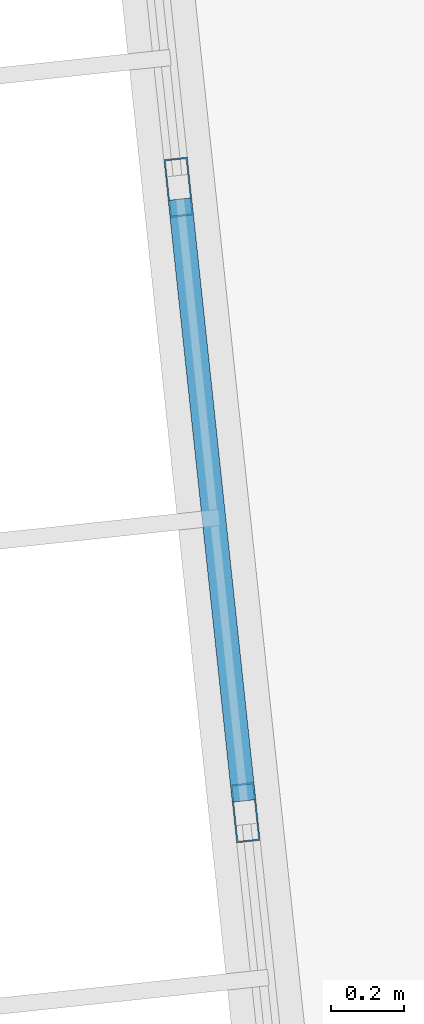
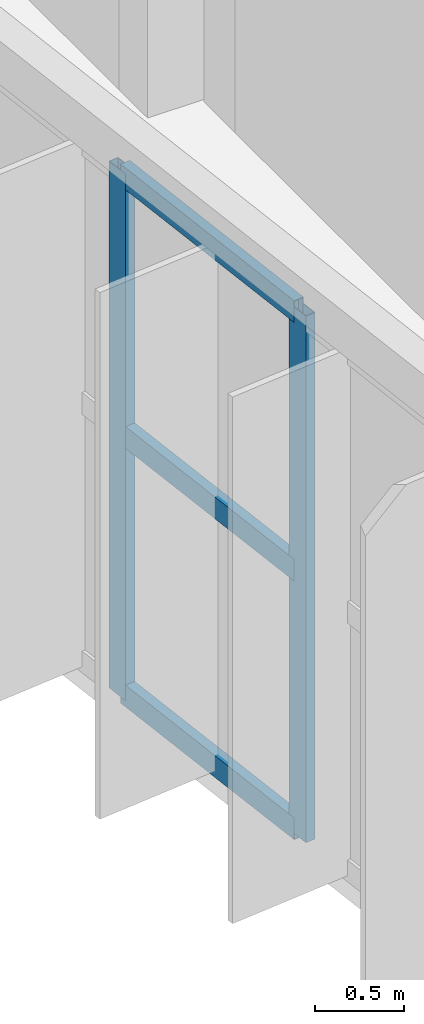
# One storey, part 35 of 134: 5 members, 1 element without a shape of its own.
"""IFC4 building model written with IfcOpenShell, lengths in metres."""

from ifc_helpers import new_model, si_unit, direction, frame, origin, origin_2d, place, context, subcontext, project, spatial, hollow_rectangle, extrude, material, material_profile, profile_set, type_object, element, aggregate, save


model = new_model("IFC4")

# Units and contexts
model_context = context("Model", 3, precision=1e-05, world=origin(), true_north=direction((0.0, 1.0)))
body_context = subcontext(model_context, "Body", "Model", "MODEL_VIEW")
ifc_project = project(units=[si_unit("LENGTHUNIT", "METRE"), si_unit("AREAUNIT", "SQUARE_METRE"), si_unit("VOLUMEUNIT", "CUBIC_METRE"), si_unit("PLANEANGLEUNIT", "RADIAN"), si_unit("MASSUNIT", "GRAM", prefix="KILO")], contexts=[model_context])

# Site, building, storey
site_placement = place(None, origin())
site = spatial("IfcSite", under=ifc_project, at=site_placement, CompositionType="ELEMENT")
building_placement = place(site_placement, origin())
building = spatial("IfcBuilding", under=site, at=building_placement, Name="Karori Crest Natural Sciences Institute", CompositionType="ELEMENT")
storey_placement = place(building_placement, frame((0.0, 0.0, 21.699951171875)))
storey = spatial("IfcBuildingStorey", under=building, at=storey_placement, Name="L05", CompositionType="ELEMENT", Elevation=21.699951171875)

# Curtain wall, members
ifc_material = material(Name="Anodised architectural aluminium 6063-T6", Category="aluminium")
curtain_wall_type = type_object("IfcCurtainWallType", Name="CWT-03", PredefinedType="NOTDEFINED", material=ifc_material)
curtain_wall_placement = place(storey_placement, origin())
curtain_wall = element("IfcCurtainWall", 1, at=curtain_wall_placement, inside=storey, type_object=curtain_wall_type, Name="Curtain wall CW-0190", PredefinedType="NOTDEFINED")
ifc_material_profile_1 = material_profile(ifc_material, hollow_rectangle(XDim=0.06494140625, YDim=0.159912109375, WallThickness=0.00390625, at=origin_2d()), Name="CWM160x65x4")
ifc_profile_set_1 = profile_set([ifc_material_profile_1], Name="Anodised architectural aluminium 6063-T6")
member_type_1 = type_object("IfcMemberType", Name="CWM-01", PredefinedType="MULLION", material=ifc_profile_set_1)
member_1_placement = place(storey_placement, frame((33.779541015625, 46.33642578125, 0.0), z_axis=(0.0, 0.0, 1.0), x_axis=(-0.994378435661, -0.105884496939, 0.0)))
member_1 = element("IfcMember", 2, at=member_1_placement, type_object=member_type_1, Name="CW-0190 mullion 5", PredefinedType="MULLION", context=body_context, shape_type="SweptSolid", body=[
    extrude(hollow_rectangle(XDim=0.06494140625, YDim=0.159912109375, WallThickness=0.00390625, at=origin_2d()), origin(), (0.0, 0.0, 1.0), 3.625),
])
member_2_placement = place(storey_placement, frame((33.596435546875, 48.05419921875, 0.0), z_axis=(0.0, 0.0, 1.0), x_axis=(-0.994378435661, -0.105884496939, 0.0)))
member_2 = element("IfcMember", 3, at=member_2_placement, type_object=member_type_1, Name="CW-0190 mullion 6", PredefinedType="MULLION", context=body_context, shape_type="SweptSolid", body=[
    extrude(hollow_rectangle(XDim=0.06494140625, YDim=0.159912109375, WallThickness=0.00390625, at=origin_2d()), origin(), (0.0, 0.0, 1.0), 3.625),
])
ifc_material_profile_2 = material_profile(ifc_material, hollow_rectangle(XDim=0.06494140625, YDim=0.14990234375, WallThickness=0.00390625, at=origin_2d()), Name="CWT150x65x4")
ifc_profile_set_2 = profile_set([ifc_material_profile_2], Name="Anodised architectural aluminium 6063-T6")
member_type_2 = type_object("IfcMemberType", Name="CWT-TR2", PredefinedType="USERDEFINED", material=ifc_profile_set_2)
member_3_placement = place(storey_placement, frame((33.77587890625, 46.36865234375, 0.032470703125), z_axis=(-0.105869463411, 0.994380036363, 0.0), x_axis=(-0.994380036363, -0.105869463411, 0.0)))
member_3 = element("IfcMember", 4, at=member_3_placement, type_object=member_type_2, Name="CW-0190 transom 5.1", ObjectType="TRANSOM", PredefinedType="USERDEFINED", context=body_context, shape_type="SweptSolid", body=[
    extrude(hollow_rectangle(XDim=0.06494140625, YDim=0.14990234375, WallThickness=0.00390625, at=origin_2d()), origin(), (0.0, 0.0, 1.0), 1.66259765625),
])
member_4_placement = place(storey_placement, frame((33.77587890625, 46.36865234375, 1.8125), z_axis=(-0.105869463411, 0.994380036363, 0.0), x_axis=(-0.994380036363, -0.105869463411, 0.0)))
member_4 = element("IfcMember", 5, at=member_4_placement, type_object=member_type_2, Name="CW-0190 transom 5.2", ObjectType="TRANSOM", PredefinedType="USERDEFINED", context=body_context, shape_type="SweptSolid", body=[
    extrude(hollow_rectangle(XDim=0.06494140625, YDim=0.14990234375, WallThickness=0.00390625, at=origin_2d()), origin(), (0.0, 0.0, 1.0), 1.66259765625),
])
member_5_placement = place(storey_placement, frame((33.77587890625, 46.36865234375, 3.592529296875), z_axis=(-0.105869463411, 0.994380036363, 0.0), x_axis=(-0.994380036363, -0.105869463411, 0.0)))
member_5 = element("IfcMember", 6, at=member_5_placement, type_object=member_type_2, Name="CW-0190 transom 5.3", ObjectType="TRANSOM", PredefinedType="USERDEFINED", context=body_context, shape_type="SweptSolid", body=[
    extrude(hollow_rectangle(XDim=0.06494140625, YDim=0.14990234375, WallThickness=0.00390625, at=origin_2d()), origin(), (0.0, 0.0, 1.0), 1.66259765625),
])
aggregate(curtain_wall, [member_1, member_2, member_3, member_4, member_5])

save(model, "model.ifc")
